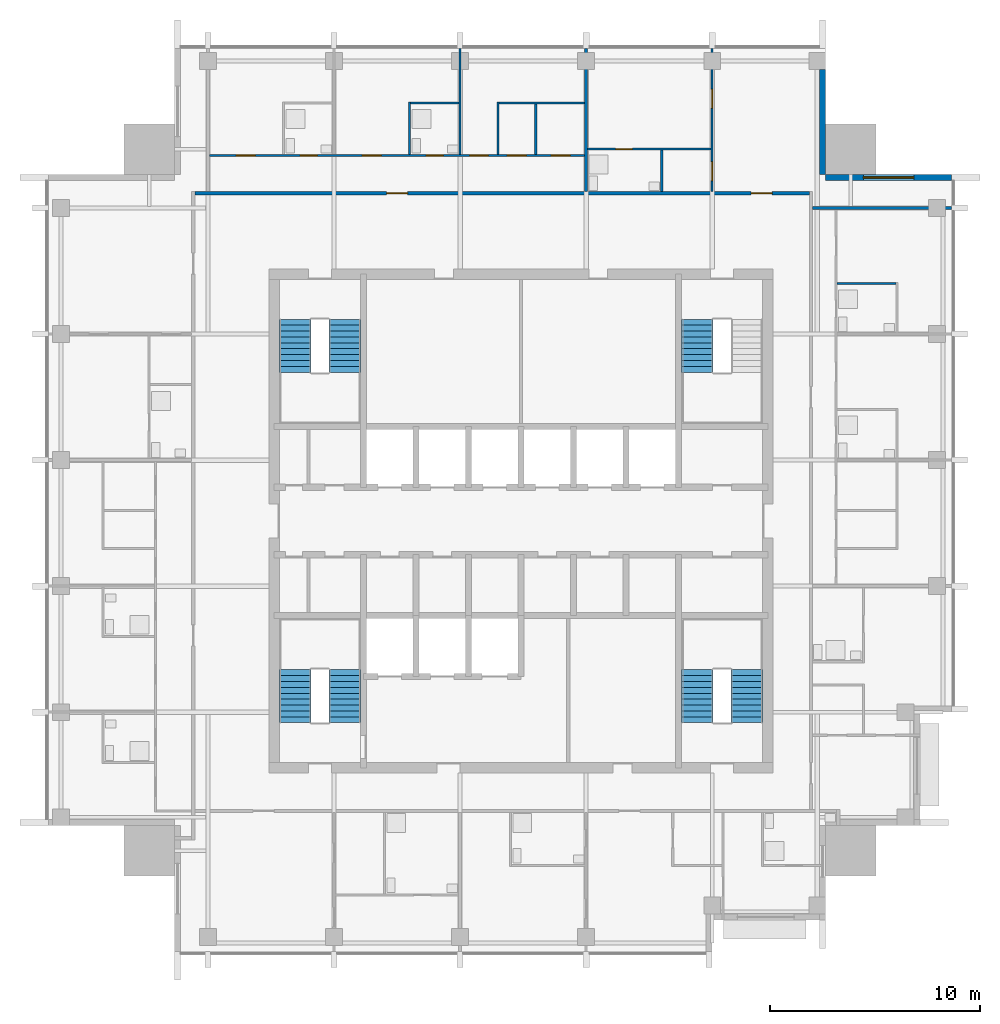
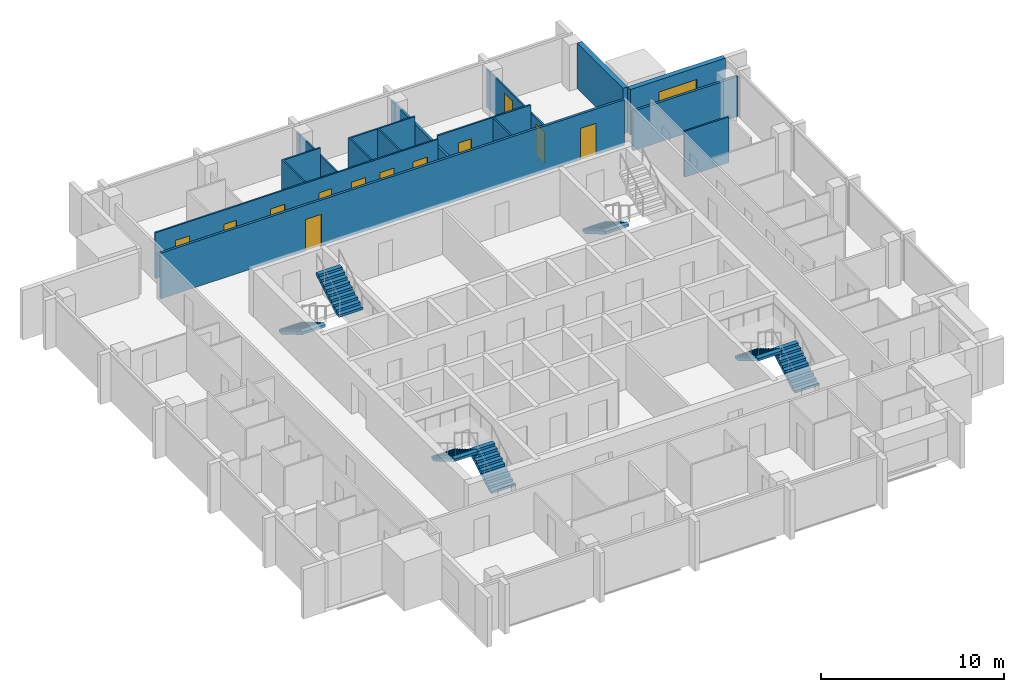
# One storey, part 7 of 10: 16 walls, 12 doors, 7 stair flights, 1 window, 13 openings, 4 elements without a shape of their own.
"""IFC4 building model written with IfcOpenShell, lengths in metres."""

from ifc_helpers import new_model, si_unit, direction, frame, frame_2d, origin, place, context, subcontext, project, spatial, polyline, rectangle, outline, extrude, material, layer, layer_set, type_object, element, fill, aggregate, save


model = new_model("IFC4")

# Units and contexts
model_context = context("Model", 3, precision=1e-05, world=origin(), true_north=direction((0.0, 1.0)))
body_context = subcontext(model_context, "Body", "Model", "MODEL_VIEW")
ifc_project = project(units=[si_unit("LENGTHUNIT", "METRE"), si_unit("AREAUNIT", "SQUARE_METRE"), si_unit("VOLUMEUNIT", "CUBIC_METRE"), si_unit("PLANEANGLEUNIT", "RADIAN"), si_unit("MASSUNIT", "GRAM", prefix="KILO")], contexts=[model_context])

# Site, building, storey
site_placement = place(None, origin())
site = spatial("IfcSite", under=ifc_project, at=site_placement, CompositionType="ELEMENT")
building_placement = place(site_placement, origin())
building = spatial("IfcBuilding", under=site, at=building_placement, Name="Amberfall Residences", CompositionType="ELEMENT")
storey_placement = place(building_placement, frame((0.0, 0.0, 275.199951171875)))
storey = spatial("IfcBuildingStorey", under=building, at=storey_placement, Name="L74", CompositionType="ELEMENT", Elevation=275.199951171875)

# Wall, opening, window
ifc_material_1 = material(Name="Pale stone cladding on insulated backing", Category="masonry")
ifc_layer_1 = layer(ifc_material_1, 0.300048828125)
ifc_layer_set_1 = layer_set([ifc_layer_1], Name="Bronze clad wall 300")
wall_type_1 = type_object("IfcWallType", Name="Bronze clad wall 300", PredefinedType="SOLIDWALL", material=ifc_layer_set_1)
wall_1_placement = place(storey_placement, frame((95.0, 61.85009765625, 0.0), z_axis=(0.0, 0.0, 1.0), x_axis=(-1.0, 0.0, 0.0)))
wall_1 = element("IfcWall", 1, at=wall_1_placement, inside=storey, type_object=wall_type_1, Name="External wall L74 NE", PredefinedType="SOLIDWALL", context=body_context, shape_type="SweptSolid", body=[
    extrude(rectangle(XDim=6.0, YDim=0.300048828125, at=frame_2d((3.0, 0.0))), origin(), (0.0, 0.0, 1.0), 3.050048828125),
])
opening_1_placement = place(wall_1_placement, frame((1.800048828125, 0.0, 0.14990234375)))
opening_1 = element("IfcOpeningElement", 2, at=opening_1_placement, cuts=wall_1, Name="Opening WN5", PredefinedType="OPENING", context=body_context, shape_type="SweptSolid", body=[
    extrude(rectangle(XDim=2.39990234375, YDim=2.10009765625, at=frame_2d((1.199951171875, 1.050048828125))), frame((0.0, 0.159912109375, 0.0), z_axis=(0.0, -1.0, 0.0), x_axis=(1.0, 0.0, 0.0)), (0.0, 0.0, 1.0), 0.320068359375),
])
ifc_material_2 = material(Name="Bronze aluminium framed glazing", Category="aluminium")
window_type = type_object("IfcWindowType", Name="Glazed opening 2400 x 2100 bronze", PartitioningType="DOUBLE_PANEL_VERTICAL", PredefinedType="WINDOW", material=ifc_material_2)
window_placement = place(opening_1_placement, origin())
window = element("IfcWindow", 3, at=window_placement, inside=storey, type_object=window_type, Name="Window L74 NE", OverallHeight=2.10009765625, OverallWidth=2.39990234375, PartitioningType="DOUBLE_PANEL_VERTICAL", PredefinedType="WINDOW", context=body_context, shape_type="SweptSolid", body=[
    extrude(rectangle(XDim=2.39990234375, YDim=2.10009765625, at=frame_2d((1.199951171875, 1.050048828125))), frame((0.0, 0.030029296875, 0.0), z_axis=(0.0, -1.0, 0.0), x_axis=(1.0, 0.0, 0.0)), (0.0, 0.0, 1.0), 0.06005859375),
])
fill(opening_1, window)

# Walls
wall_2_placement = place(storey_placement, frame((88.85009765625, 62.0, 0.0), z_axis=(0.0, 0.0, 1.0), x_axis=(0.0, 1.0, 0.0)))
element("IfcWall", 4, at=wall_2_placement, inside=storey, type_object=wall_type_1, Name="External wall L74 NE", PredefinedType="SOLIDWALL", context=body_context, shape_type="SweptSolid", body=[
    extrude(rectangle(XDim=5.0, YDim=0.300048828125, at=frame_2d((2.5, 0.0))), origin(), (0.0, 0.0, 1.0), 3.050048828125),
])
ifc_material_3 = material(Name="Gypsum board on metal stud")
ifc_layer_2 = layer(ifc_material_3, 0.10009765625)
ifc_layer_set_2 = layer_set([ifc_layer_2], Name="Flat partition 100")
wall_type_2 = type_object("IfcWallType", Name="Flat partition 100", PredefinedType="PARTITIONING", material=ifc_layer_set_2)
wall_3_placement = place(storey_placement, frame((69.199951171875, 62.949951171875, 0.0), z_axis=(0.0, 0.0, 1.0), x_axis=(0.0, 1.0, 0.0)))
element("IfcWall", 5, at=wall_3_placement, inside=storey, type_object=wall_type_2, Name="Partition 010", PredefinedType="PARTITIONING", context=body_context, shape_type="SweptSolid", body=[
    extrude(rectangle(XDim=2.5, YDim=0.10009765625, at=frame_2d((1.25, 0.0))), origin(), (0.0, 0.0, 1.0), 3.050048828125),
])
wall_4_placement = place(storey_placement, frame((71.60009765625, 62.949951171875, 0.0), z_axis=(0.0, 0.0, 1.0), x_axis=(0.0, 1.0, 0.0)))
element("IfcWall", 6, at=wall_4_placement, inside=storey, type_object=wall_type_2, Name="Partition 011", PredefinedType="PARTITIONING", context=body_context, shape_type="SweptSolid", body=[
    extrude(rectangle(XDim=5.050048828125, YDim=0.10009765625, at=frame_2d((2.52490234375, 0.0))), origin(), (0.0, 0.0, 1.0), 2.51611328125),
])
wall_5_placement = place(storey_placement, frame((73.39990234375, 62.949951171875, 0.0), z_axis=(0.0, 0.0, 1.0), x_axis=(0.0, 1.0, 0.0)))
element("IfcWall", 7, at=wall_5_placement, inside=storey, type_object=wall_type_2, Name="Partition 012", PredefinedType="PARTITIONING", context=body_context, shape_type="SweptSolid", body=[
    extrude(rectangle(XDim=2.5, YDim=0.10009765625, at=frame_2d((1.25, 0.0))), origin(), (0.0, 0.0, 1.0), 3.050048828125),
])
wall_6_placement = place(storey_placement, frame((75.199951171875, 62.949951171875, 0.0), z_axis=(0.0, 0.0, 1.0), x_axis=(0.0, 1.0, 0.0)))
element("IfcWall", 8, at=wall_6_placement, inside=storey, type_object=wall_type_2, Name="Partition 014", PredefinedType="PARTITIONING", context=body_context, shape_type="SweptSolid", body=[
    extrude(rectangle(XDim=2.400146484375, YDim=0.10009765625, at=frame_2d((1.2001953125, 0.0))), origin(), (0.0, 0.0, 1.0), 3.050048828125),
])
wall_7_placement = place(storey_placement, frame((81.199951171875, 61.175048828125, 0.0), z_axis=(0.0, 0.0, 1.0), x_axis=(0.0, 1.0, 0.0)))
element("IfcWall", 9, at=wall_7_placement, inside=storey, type_object=wall_type_2, Name="Partition 016", PredefinedType="PARTITIONING", context=body_context, shape_type="SweptSolid", body=[
    extrude(rectangle(XDim=1.974853515625, YDim=0.10009765625, at=frame_2d((0.9873046875, 0.0))), origin(), (0.0, 0.0, 1.0), 3.050048828125),
])

# Wall, openings, doors
wall_8_placement = place(storey_placement, frame((83.60009765625, 61.175048828125, 0.0), z_axis=(0.0, 0.0, 1.0), x_axis=(0.0, 1.0, 0.0)))
wall_8 = element("IfcWall", 10, at=wall_8_placement, inside=storey, type_object=wall_type_2, Name="Partition 018", PredefinedType="PARTITIONING", context=body_context, shape_type="SweptSolid", body=[
    extrude(rectangle(XDim=6.824951171875, YDim=0.10009765625, at=frame_2d((3.41259765625, 0.0))), origin(), (0.0, 0.0, 1.0), 2.51611328125),
])
opening_2_placement = place(wall_8_placement, frame((0.52490234375, 0.0, 0.0)))
opening_2 = element("IfcOpeningElement", 11, at=opening_2_placement, cuts=wall_8, Name="Opening D41", PredefinedType="OPENING", context=body_context, shape_type="SweptSolid", body=[
    extrude(rectangle(XDim=0.89990234375, YDim=2.10009765625, at=frame_2d((0.449951171875, 1.050048828125))), frame((0.0, 0.06005859375, 0.0), z_axis=(0.0, -1.0, 0.0), x_axis=(1.0, 0.0, 0.0)), (0.0, 0.0, 1.0), 0.1201171875),
])
opening_3_placement = place(wall_8_placement, frame((3.97509765625, 0.0, 0.0)))
opening_3 = element("IfcOpeningElement", 12, at=opening_3_placement, cuts=wall_8, Name="Opening D41", PredefinedType="OPENING", context=body_context, shape_type="SweptSolid", body=[
    extrude(rectangle(XDim=0.89990234375, YDim=2.10009765625, at=frame_2d((0.449951171875, 1.050048828125))), frame((0.0, 0.06005859375, 0.0), z_axis=(0.0, -1.0, 0.0), x_axis=(1.0, 0.0, 0.0)), (0.0, 0.0, 1.0), 0.1201171875),
])
ifc_material_4 = material(Name="Timber", Category="wood")
door_type_1 = type_object("IfcDoorType", Name="Internal door 900 x 2100", OperationType="SINGLE_SWING_LEFT", PredefinedType="DOOR", material=ifc_material_4)
door_1_placement = place(opening_2_placement, origin())
door_1 = element("IfcDoor", 13, at=door_1_placement, inside=storey, type_object=door_type_1, Name="Door 7406 kitchen", OperationType="SINGLE_SWING_LEFT", OverallHeight=2.10009765625, OverallWidth=0.89990234375, PredefinedType="DOOR", context=body_context, shape_type="SweptSolid", body=[
    extrude(rectangle(XDim=0.89990234375, YDim=2.10009765625, at=frame_2d((0.449951171875, 1.050048828125))), frame((0.0, 0.02490234375, 0.0), z_axis=(0.0, -1.0, 0.0), x_axis=(1.0, 0.0, 0.0)), (0.0, 0.0, 1.0), 0.050048828125),
])
fill(opening_2, door_1)
door_2_placement = place(opening_3_placement, origin())
door_2 = element("IfcDoor", 14, at=door_2_placement, inside=storey, type_object=door_type_1, Name="Door 7406 bedroom1", OperationType="SINGLE_SWING_LEFT", OverallHeight=2.10009765625, OverallWidth=0.89990234375, PredefinedType="DOOR", context=body_context, shape_type="SweptSolid", body=[
    extrude(rectangle(XDim=0.89990234375, YDim=2.10009765625, at=frame_2d((0.449951171875, 1.050048828125))), frame((0.0, 0.02490234375, 0.0), z_axis=(0.0, -1.0, 0.0), x_axis=(1.0, 0.0, 0.0)), (0.0, 0.0, 1.0), 0.050048828125),
])
fill(opening_3, door_2)

# Walls
wall_9_placement = place(storey_placement, frame((69.25, 65.39990234375, 0.0), z_axis=(0.0, 0.0, 1.0), x_axis=(1.0, 0.0, 0.0)))
element("IfcWall", 15, at=wall_9_placement, inside=storey, type_object=wall_type_2, Name="Partition 027", PredefinedType="PARTITIONING", context=body_context, shape_type="SweptSolid", body=[
    extrude(rectangle(XDim=2.300048828125, YDim=0.10009765625, at=frame_2d((1.14990234375, 0.0))), origin(), (0.0, 0.0, 1.0), 3.050048828125),
])
wall_10_placement = place(storey_placement, frame((73.449951171875, 65.39990234375, 0.0), z_axis=(0.0, 0.0, 1.0), x_axis=(1.0, 0.0, 0.0)))
element("IfcWall", 16, at=wall_10_placement, inside=storey, type_object=wall_type_2, Name="Partition 028", PredefinedType="PARTITIONING", context=body_context, shape_type="SweptSolid", body=[
    extrude(rectangle(XDim=4.074951171875, YDim=0.10009765625, at=frame_2d((2.03759765625, 0.0))), origin(), (0.0, 0.0, 1.0), 3.050048828125),
])

# Wall, opening, door
wall_11_placement = place(storey_placement, frame((83.550048828125, 63.199951171875, 0.0), z_axis=(0.0, 0.0, 1.0), x_axis=(-1.0, 0.0, 0.0)))
wall_11 = element("IfcWall", 17, at=wall_11_placement, inside=storey, type_object=wall_type_2, Name="Partition 029", PredefinedType="PARTITIONING", context=body_context, shape_type="SweptSolid", body=[
    extrude(rectangle(XDim=5.875, YDim=0.10009765625, at=frame_2d((2.9375, 0.0))), origin(), (0.0, 0.0, 1.0), 3.050048828125),
])
opening_4_placement = place(wall_11_placement, frame((3.75, 0.0, 0.0)))
opening_4 = element("IfcOpeningElement", 18, at=opening_4_placement, cuts=wall_11, Name="Opening D42", PredefinedType="OPENING", context=body_context, shape_type="SweptSolid", body=[
    extrude(rectangle(XDim=0.800048828125, YDim=2.10009765625, at=frame_2d((0.39990234375, 1.050048828125))), frame((0.0, 0.06005859375, 0.0), z_axis=(0.0, -1.0, 0.0), x_axis=(1.0, 0.0, 0.0)), (0.0, 0.0, 1.0), 0.1201171875),
])
door_type_2 = type_object("IfcDoorType", Name="Bathroom door 800 x 2100", OperationType="SINGLE_SWING_LEFT", PredefinedType="DOOR", material=ifc_material_4)
door_3_placement = place(opening_4_placement, origin())
door_3 = element("IfcDoor", 19, at=door_3_placement, inside=storey, type_object=door_type_2, Name="Door 7406 bath1", OperationType="SINGLE_SWING_LEFT", OverallHeight=2.10009765625, OverallWidth=0.800048828125, PredefinedType="DOOR", context=body_context, shape_type="SweptSolid", body=[
    extrude(rectangle(XDim=0.800048828125, YDim=2.10009765625, at=frame_2d((0.39990234375, 1.050048828125))), frame((0.0, 0.02490234375, 0.0), z_axis=(0.0, -1.0, 0.0), x_axis=(1.0, 0.0, 0.0)), (0.0, 0.0, 1.0), 0.050048828125),
])
fill(opening_4, door_3)

# Wall, openings, doors
wall_12_placement = place(storey_placement, frame((59.675048828125, 62.89990234375, 0.0), z_axis=(0.0, 0.0, 1.0), x_axis=(1.0, 0.0, 0.0)))
wall_12 = element("IfcWall", 20, at=wall_12_placement, inside=storey, type_object=wall_type_2, Name="Partition 030", PredefinedType="PARTITIONING", context=body_context, shape_type="SweptSolid", body=[
    extrude(rectangle(XDim=17.849853515625, YDim=0.10009765625, at=frame_2d((8.9248046875, 0.0))), origin(), (0.0, 0.0, 1.0), 3.050048828125),
])
opening_5_placement = place(wall_12_placement, frame((12.375, 0.0, 0.0)))
opening_5 = element("IfcOpeningElement", 21, at=opening_5_placement, cuts=wall_12, Name="Opening D41", PredefinedType="OPENING", context=body_context, shape_type="SweptSolid", body=[
    extrude(rectangle(XDim=0.89990234375, YDim=2.10009765625, at=frame_2d((0.449951171875, 1.050048828125))), frame((0.0, 0.06005859375, 0.0), z_axis=(0.0, -1.0, 0.0), x_axis=(1.0, 0.0, 0.0)), (0.0, 0.0, 1.0), 0.1201171875),
])
opening_6_placement = place(wall_12_placement, frame((16.27490234375, 0.0, 0.0)))
opening_6 = element("IfcOpeningElement", 22, at=opening_6_placement, cuts=wall_12, Name="Opening D41", PredefinedType="OPENING", context=body_context, shape_type="SweptSolid", body=[
    extrude(rectangle(XDim=0.89990234375, YDim=2.10009765625, at=frame_2d((0.449951171875, 1.050048828125))), frame((0.0, 0.06005859375, 0.0), z_axis=(0.0, -1.0, 0.0), x_axis=(1.0, 0.0, 0.0)), (0.0, 0.0, 1.0), 0.1201171875),
])
opening_7_placement = place(wall_12_placement, frame((14.175048828125, 0.0, 0.0)))
opening_7 = element("IfcOpeningElement", 23, at=opening_7_placement, cuts=wall_12, Name="Opening D41", PredefinedType="OPENING", context=body_context, shape_type="SweptSolid", body=[
    extrude(rectangle(XDim=0.89990234375, YDim=2.10009765625, at=frame_2d((0.449951171875, 1.050048828125))), frame((0.0, 0.06005859375, 0.0), z_axis=(0.0, -1.0, 0.0), x_axis=(1.0, 0.0, 0.0)), (0.0, 0.0, 1.0), 0.1201171875),
])
opening_8_placement = place(wall_12_placement, frame((1.27490234375, 0.0, 0.0)))
opening_8 = element("IfcOpeningElement", 24, at=opening_8_placement, cuts=wall_12, Name="Opening D41", PredefinedType="OPENING", context=body_context, shape_type="SweptSolid", body=[
    extrude(rectangle(XDim=0.89990234375, YDim=2.10009765625, at=frame_2d((0.449951171875, 1.050048828125))), frame((0.0, 0.06005859375, 0.0), z_axis=(0.0, -1.0, 0.0), x_axis=(1.0, 0.0, 0.0)), (0.0, 0.0, 1.0), 0.1201171875),
])
opening_9_placement = place(wall_12_placement, frame((7.27490234375, 0.0, 0.0)))
opening_9 = element("IfcOpeningElement", 25, at=opening_9_placement, cuts=wall_12, Name="Opening D41", PredefinedType="OPENING", context=body_context, shape_type="SweptSolid", body=[
    extrude(rectangle(XDim=0.89990234375, YDim=2.10009765625, at=frame_2d((0.449951171875, 1.050048828125))), frame((0.0, 0.06005859375, 0.0), z_axis=(0.0, -1.0, 0.0), x_axis=(1.0, 0.0, 0.0)), (0.0, 0.0, 1.0), 0.1201171875),
])
opening_10_placement = place(wall_12_placement, frame((4.324951171875, 0.0, 0.0)))
opening_10 = element("IfcOpeningElement", 26, at=opening_10_placement, cuts=wall_12, Name="Opening D42", PredefinedType="OPENING", context=body_context, shape_type="SweptSolid", body=[
    extrude(rectangle(XDim=0.800048828125, YDim=2.10009765625, at=frame_2d((0.39990234375, 1.050048828125))), frame((0.0, 0.06005859375, 0.0), z_axis=(0.0, -1.0, 0.0), x_axis=(1.0, 0.0, 0.0)), (0.0, 0.0, 1.0), 0.1201171875),
])
opening_11_placement = place(wall_12_placement, frame((10.324951171875, 0.0, 0.0)))
opening_11 = element("IfcOpeningElement", 27, at=opening_11_placement, cuts=wall_12, Name="Opening D42", PredefinedType="OPENING", context=body_context, shape_type="SweptSolid", body=[
    extrude(rectangle(XDim=0.800048828125, YDim=2.10009765625, at=frame_2d((0.39990234375, 1.050048828125))), frame((0.0, 0.06005859375, 0.0), z_axis=(0.0, -1.0, 0.0), x_axis=(1.0, 0.0, 0.0)), (0.0, 0.0, 1.0), 0.1201171875),
])
door_4_placement = place(opening_10_placement, origin())
door_4 = element("IfcDoor", 28, at=door_4_placement, inside=storey, type_object=door_type_2, Name="Door 7405 bath1", OperationType="SINGLE_SWING_LEFT", OverallHeight=2.10009765625, OverallWidth=0.800048828125, PredefinedType="DOOR", context=body_context, shape_type="SweptSolid", body=[
    extrude(rectangle(XDim=0.800048828125, YDim=2.10009765625, at=frame_2d((0.39990234375, 1.050048828125))), frame((0.0, 0.02490234375, 0.0), z_axis=(0.0, -1.0, 0.0), x_axis=(1.0, 0.0, 0.0)), (0.0, 0.0, 1.0), 0.050048828125),
])
fill(opening_10, door_4)
door_5_placement = place(opening_11_placement, origin())
door_5 = element("IfcDoor", 29, at=door_5_placement, inside=storey, type_object=door_type_2, Name="Door 7405 bath2", OperationType="SINGLE_SWING_LEFT", OverallHeight=2.10009765625, OverallWidth=0.800048828125, PredefinedType="DOOR", context=body_context, shape_type="SweptSolid", body=[
    extrude(rectangle(XDim=0.800048828125, YDim=2.10009765625, at=frame_2d((0.39990234375, 1.050048828125))), frame((0.0, 0.02490234375, 0.0), z_axis=(0.0, -1.0, 0.0), x_axis=(1.0, 0.0, 0.0)), (0.0, 0.0, 1.0), 0.050048828125),
])
fill(opening_11, door_5)
door_6_placement = place(opening_5_placement, origin())
door_6 = element("IfcDoor", 30, at=door_6_placement, inside=storey, type_object=door_type_1, Name="Door 7405 living", OperationType="SINGLE_SWING_LEFT", OverallHeight=2.10009765625, OverallWidth=0.89990234375, PredefinedType="DOOR", context=body_context, shape_type="SweptSolid", body=[
    extrude(rectangle(XDim=0.89990234375, YDim=2.10009765625, at=frame_2d((0.449951171875, 1.050048828125))), frame((0.0, 0.02490234375, 0.0), z_axis=(0.0, -1.0, 0.0), x_axis=(1.0, 0.0, 0.0)), (0.0, 0.0, 1.0), 0.050048828125),
])
fill(opening_5, door_6)
door_7_placement = place(opening_6_placement, origin())
door_7 = element("IfcDoor", 31, at=door_7_placement, inside=storey, type_object=door_type_1, Name="Door 7405 kitchen", OperationType="SINGLE_SWING_LEFT", OverallHeight=2.10009765625, OverallWidth=0.89990234375, PredefinedType="DOOR", context=body_context, shape_type="SweptSolid", body=[
    extrude(rectangle(XDim=0.89990234375, YDim=2.10009765625, at=frame_2d((0.449951171875, 1.050048828125))), frame((0.0, 0.02490234375, 0.0), z_axis=(0.0, -1.0, 0.0), x_axis=(1.0, 0.0, 0.0)), (0.0, 0.0, 1.0), 0.050048828125),
])
fill(opening_6, door_7)
door_8_placement = place(opening_7_placement, origin())
door_8 = element("IfcDoor", 32, at=door_8_placement, inside=storey, type_object=door_type_1, Name="Door 7405 utility", OperationType="SINGLE_SWING_LEFT", OverallHeight=2.10009765625, OverallWidth=0.89990234375, PredefinedType="DOOR", context=body_context, shape_type="SweptSolid", body=[
    extrude(rectangle(XDim=0.89990234375, YDim=2.10009765625, at=frame_2d((0.449951171875, 1.050048828125))), frame((0.0, 0.02490234375, 0.0), z_axis=(0.0, -1.0, 0.0), x_axis=(1.0, 0.0, 0.0)), (0.0, 0.0, 1.0), 0.050048828125),
])
fill(opening_7, door_8)
door_9_placement = place(opening_8_placement, origin())
door_9 = element("IfcDoor", 33, at=door_9_placement, inside=storey, type_object=door_type_1, Name="Door 7405 bedroom1", OperationType="SINGLE_SWING_LEFT", OverallHeight=2.10009765625, OverallWidth=0.89990234375, PredefinedType="DOOR", context=body_context, shape_type="SweptSolid", body=[
    extrude(rectangle(XDim=0.89990234375, YDim=2.10009765625, at=frame_2d((0.449951171875, 1.050048828125))), frame((0.0, 0.02490234375, 0.0), z_axis=(0.0, -1.0, 0.0), x_axis=(1.0, 0.0, 0.0)), (0.0, 0.0, 1.0), 0.050048828125),
])
fill(opening_8, door_9)
door_10_placement = place(opening_9_placement, origin())
door_10 = element("IfcDoor", 34, at=door_10_placement, inside=storey, type_object=door_type_1, Name="Door 7405 bedroom2", OperationType="SINGLE_SWING_LEFT", OverallHeight=2.10009765625, OverallWidth=0.89990234375, PredefinedType="DOOR", context=body_context, shape_type="SweptSolid", body=[
    extrude(rectangle(XDim=0.89990234375, YDim=2.10009765625, at=frame_2d((0.449951171875, 1.050048828125))), frame((0.0, 0.02490234375, 0.0), z_axis=(0.0, -1.0, 0.0), x_axis=(1.0, 0.0, 0.0)), (0.0, 0.0, 1.0), 0.050048828125),
])
fill(opening_9, door_10)

# Walls
wall_13_placement = place(storey_placement, frame((89.550048828125, 56.800048828125, 0.0), z_axis=(0.0, 0.0, 1.0), x_axis=(1.0, 0.0, 0.0)))
element("IfcWall", 35, at=wall_13_placement, inside=storey, type_object=wall_type_2, Name="Partition 031", PredefinedType="PARTITIONING", context=body_context, shape_type="SweptSolid", body=[
    extrude(rectangle(XDim=2.800048828125, YDim=0.10009765625, at=frame_2d((1.39990234375, 0.0))), origin(), (0.0, 0.0, 1.0), 3.050048828125),
])
ifc_material_5 = material(Name="Blockwork, plastered", Category="masonry")
ifc_layer_3 = layer(ifc_material_5, 0.14990234375)
ifc_layer_set_3 = layer_set([ifc_layer_3], Name="Flat separating wall 150")
wall_type_3 = type_object("IfcWallType", Name="Flat separating wall 150", PredefinedType="PARTITIONING", material=ifc_layer_set_3)
wall_14_placement = place(storey_placement, frame((77.60009765625, 61.175048828125, 0.0), z_axis=(0.0, 0.0, 1.0), x_axis=(0.0, 1.0, 0.0)))
element("IfcWall", 36, at=wall_14_placement, inside=storey, type_object=wall_type_3, Name="Separating wall 056", PredefinedType="PARTITIONING", context=body_context, shape_type="SweptSolid", body=[
    extrude(rectangle(XDim=6.824951171875, YDim=0.14990234375, at=frame_2d((3.41259765625, 0.0))), origin(), (0.0, 0.0, 1.0), 2.51611328125),
])

# Wall, openings, doors
wall_15_placement = place(storey_placement, frame((58.97509765625, 61.10009765625, 0.0), z_axis=(0.0, 0.0, 1.0), x_axis=(1.0, 0.0, 0.0)))
wall_15 = element("IfcWall", 37, at=wall_15_placement, inside=storey, type_object=wall_type_3, Name="Separating wall 059", PredefinedType="PARTITIONING", context=body_context, shape_type="SweptSolid", body=[
    extrude(rectangle(XDim=29.25, YDim=0.14990234375, at=frame_2d((14.625, 0.0))), origin(), (0.0, 0.0, 1.0), 3.050048828125),
])
opening_12_placement = place(wall_15_placement, frame((9.125, 0.0, 0.0)))
opening_12 = element("IfcOpeningElement", 38, at=opening_12_placement, cuts=wall_15, Name="Opening D40", PredefinedType="OPENING", context=body_context, shape_type="SweptSolid", body=[
    extrude(rectangle(XDim=1.0, YDim=2.10009765625, at=frame_2d((0.5, 1.050048828125))), frame((0.0, 0.0849609375, 0.0), z_axis=(0.0, -1.0, 0.0), x_axis=(1.0, 0.0, 0.0)), (0.0, 0.0, 1.0), 0.169921875),
])
opening_13_placement = place(wall_15_placement, frame((26.47509765625, 0.0, 0.0)))
opening_13 = element("IfcOpeningElement", 39, at=opening_13_placement, cuts=wall_15, Name="Opening D40", PredefinedType="OPENING", context=body_context, shape_type="SweptSolid", body=[
    extrude(rectangle(XDim=1.0, YDim=2.10009765625, at=frame_2d((0.5, 1.050048828125))), frame((0.0, 0.0849609375, 0.0), z_axis=(0.0, -1.0, 0.0), x_axis=(1.0, 0.0, 0.0)), (0.0, 0.0, 1.0), 0.169921875),
])
ifc_material_6 = material(Name="Timber, fire-rated", Category="wood")
door_type_3 = type_object("IfcDoorType", Name="Flat entrance door FD60 1000 x 2100", OperationType="SINGLE_SWING_LEFT", PredefinedType="DOOR", material=ifc_material_6)
door_11_placement = place(opening_12_placement, origin())
door_11 = element("IfcDoor", 40, at=door_11_placement, inside=storey, type_object=door_type_3, Name="Door 7405 entrance", OperationType="SINGLE_SWING_LEFT", OverallHeight=2.10009765625, OverallWidth=1.0, PredefinedType="DOOR", context=body_context, shape_type="SweptSolid", body=[
    extrude(rectangle(XDim=1.0, YDim=2.10009765625, at=frame_2d((0.5, 1.050048828125))), frame((0.0, 0.02490234375, 0.0), z_axis=(0.0, -1.0, 0.0), x_axis=(1.0, 0.0, 0.0)), (0.0, 0.0, 1.0), 0.050048828125),
])
fill(opening_12, door_11)
door_12_placement = place(opening_13_placement, origin())
door_12 = element("IfcDoor", 41, at=door_12_placement, inside=storey, type_object=door_type_3, Name="Door 7406 entrance", OperationType="SINGLE_SWING_LEFT", OverallHeight=2.10009765625, OverallWidth=1.0, PredefinedType="DOOR", context=body_context, shape_type="SweptSolid", body=[
    extrude(rectangle(XDim=1.0, YDim=2.10009765625, at=frame_2d((0.5, 1.050048828125))), frame((0.0, 0.02490234375, 0.0), z_axis=(0.0, -1.0, 0.0), x_axis=(1.0, 0.0, 0.0)), (0.0, 0.0, 1.0), 0.050048828125),
])
fill(opening_13, door_12)

# Wall
wall_16_placement = place(storey_placement, frame((88.375, 60.39990234375, 0.0), z_axis=(0.0, 0.0, 1.0), x_axis=(1.0, 0.0, 0.0)))
element("IfcWall", 42, at=wall_16_placement, inside=storey, type_object=wall_type_3, Name="Separating wall 060", PredefinedType="PARTITIONING", context=body_context, shape_type="SweptSolid", body=[
    extrude(rectangle(XDim=6.625, YDim=0.14990234375, at=frame_2d((3.3125, 0.0))), origin(), (0.0, 0.0, 1.0), 2.64697265625),
])

# Stair, stair flights
ifc_material_7 = material(Name="Concrete C40", Category="concrete")
stair_type = type_object("IfcStairType", Name="Exit stair 20 risers 165.0 mm", PredefinedType="HALF_TURN_STAIR", material=ifc_material_7)
stair_1_placement = place(storey_placement, origin())
stair_1 = element("IfcStair", 43, at=stair_1_placement, inside=storey, type_object=stair_type, Name="L74 Exit stair 1", PredefinedType="HALF_TURN_STAIR")
stair_flight_type = type_object("IfcStairFlightType", Name="Stair flight 10 risers 165.0 mm", PredefinedType="STRAIGHT", material=ifc_material_7)
stair_flight_1_placement = place(storey_placement, frame((66.10009765625, 35.89990234375, 0.0), z_axis=(0.0, 0.0, 1.0), x_axis=(0.0, 1.0, 0.0)))
stair_flight_1 = element("IfcStairFlight", 44, at=stair_flight_1_placement, type_object=stair_flight_type, Name="ST3 flight 1", NumberOfRisers=10, NumberOfTreads=9, PredefinedType="STRAIGHT", RiserHeight=0.165, TreadLength=0.28, context=body_context, shape_type="SweptSolid", body=[
    extrude(outline(polyline([(0.0, 0.0), (0.0, 0.1650390625), (0.280029296875, 0.1650390625), (0.280029296875, 0.330078125), (0.56005859375, 0.330078125), (0.56005859375, 0.4951171875), (0.840087890625, 0.4951171875), (0.840087890625, 0.659912109375), (1.1201171875, 0.659912109375), (1.1201171875, 0.824951171875), (1.39990234375, 0.824951171875), (1.39990234375, 0.989990234375), (1.679931640625, 0.989990234375), (1.679931640625, 1.155029296875), (1.9599609375, 1.155029296875), (1.9599609375, 1.320068359375), (2.239990234375, 1.320068359375), (2.239990234375, 1.485107421875), (2.52001953125, 1.485107421875), (2.52001953125, 1.64990234375), (2.52001953125, 1.31103515625), (0.295166015625, 0.0), (0.0, 0.0)])), frame((0.0, 0.75, 0.0), z_axis=(0.0, -1.0, 0.0), x_axis=(1.0, 0.0, 0.0)), (0.0, 0.0, 1.0), 1.5),
])
stair_flight_2_placement = place(storey_placement, frame((63.75, 38.419921875, 1.650146484375), z_axis=(0.0, 0.0, 1.0), x_axis=(0.0, -1.0, 0.0)))
stair_flight_2 = element("IfcStairFlight", 45, at=stair_flight_2_placement, type_object=stair_flight_type, Name="ST3 flight 2", NumberOfRisers=10, NumberOfTreads=9, PredefinedType="STRAIGHT", RiserHeight=0.165, TreadLength=0.28, context=body_context, shape_type="SweptSolid", body=[
    extrude(outline(polyline([(0.0, 0.0), (0.0, 0.1650390625), (0.280029296875, 0.1650390625), (0.280029296875, 0.330078125), (0.56005859375, 0.330078125), (0.56005859375, 0.4951171875), (0.840087890625, 0.4951171875), (0.840087890625, 0.659912109375), (1.1201171875, 0.659912109375), (1.1201171875, 0.824951171875), (1.39990234375, 0.824951171875), (1.39990234375, 0.989990234375), (1.679931640625, 0.989990234375), (1.679931640625, 1.155029296875), (1.9599609375, 1.155029296875), (1.9599609375, 1.320068359375), (2.239990234375, 1.320068359375), (2.239990234375, 1.485107421875), (2.52001953125, 1.485107421875), (2.52001953125, 1.64990234375), (2.52001953125, 1.31103515625), (0.295166015625, 0.0), (0.0, 0.0)])), frame((0.0, 0.75, 0.0), z_axis=(0.0, -1.0, 0.0), x_axis=(1.0, 0.0, 0.0)), (0.0, 0.0, 1.0), 1.5),
])
aggregate(stair_1, [stair_flight_1, stair_flight_2])

stair_2_placement = place(storey_placement, origin())
stair_2 = element("IfcStair", 46, at=stair_2_placement, inside=storey, type_object=stair_type, Name="L74 Exit stair 2", PredefinedType="HALF_TURN_STAIR")
stair_flight_3_placement = place(storey_placement, frame((85.25, 35.89990234375, 0.0), z_axis=(0.0, 0.0, 1.0), x_axis=(0.0, 1.0, 0.0)))
stair_flight_3 = element("IfcStairFlight", 47, at=stair_flight_3_placement, type_object=stair_flight_type, Name="ST3 flight 1", NumberOfRisers=10, NumberOfTreads=9, PredefinedType="STRAIGHT", RiserHeight=0.165, TreadLength=0.28, context=body_context, shape_type="SweptSolid", body=[
    extrude(outline(polyline([(0.0, 0.0), (0.0, 0.1650390625), (0.280029296875, 0.1650390625), (0.280029296875, 0.330078125), (0.56005859375, 0.330078125), (0.56005859375, 0.4951171875), (0.840087890625, 0.4951171875), (0.840087890625, 0.659912109375), (1.1201171875, 0.659912109375), (1.1201171875, 0.824951171875), (1.39990234375, 0.824951171875), (1.39990234375, 0.989990234375), (1.679931640625, 0.989990234375), (1.679931640625, 1.155029296875), (1.9599609375, 1.155029296875), (1.9599609375, 1.320068359375), (2.239990234375, 1.320068359375), (2.239990234375, 1.485107421875), (2.52001953125, 1.485107421875), (2.52001953125, 1.64990234375), (2.52001953125, 1.31103515625), (0.295166015625, 0.0), (0.0, 0.0)])), frame((0.0, 0.75, 0.0), z_axis=(0.0, -1.0, 0.0), x_axis=(1.0, 0.0, 0.0)), (0.0, 0.0, 1.0), 1.5),
])
stair_flight_4_placement = place(storey_placement, frame((82.89990234375, 38.419921875, 1.650146484375), z_axis=(0.0, 0.0, 1.0), x_axis=(0.0, -1.0, 0.0)))
stair_flight_4 = element("IfcStairFlight", 48, at=stair_flight_4_placement, type_object=stair_flight_type, Name="ST3 flight 2", NumberOfRisers=10, NumberOfTreads=9, PredefinedType="STRAIGHT", RiserHeight=0.165, TreadLength=0.28, context=body_context, shape_type="SweptSolid", body=[
    extrude(outline(polyline([(0.0, 0.0), (0.0, 0.1650390625), (0.280029296875, 0.1650390625), (0.280029296875, 0.330078125), (0.56005859375, 0.330078125), (0.56005859375, 0.4951171875), (0.840087890625, 0.4951171875), (0.840087890625, 0.659912109375), (1.1201171875, 0.659912109375), (1.1201171875, 0.824951171875), (1.39990234375, 0.824951171875), (1.39990234375, 0.989990234375), (1.679931640625, 0.989990234375), (1.679931640625, 1.155029296875), (1.9599609375, 1.155029296875), (1.9599609375, 1.320068359375), (2.239990234375, 1.320068359375), (2.239990234375, 1.485107421875), (2.52001953125, 1.485107421875), (2.52001953125, 1.64990234375), (2.52001953125, 1.31103515625), (0.295166015625, 0.0), (0.0, 0.0)])), frame((0.0, 0.75, 0.0), z_axis=(0.0, -1.0, 0.0), x_axis=(1.0, 0.0, 0.0)), (0.0, 0.0, 1.0), 1.5),
])
aggregate(stair_2, [stair_flight_3, stair_flight_4])

# Stair, stair flight
stair_3_placement = place(storey_placement, origin())
stair_3 = element("IfcStair", 49, at=stair_3_placement, inside=storey, type_object=stair_type, Name="L74 Exit stair 3", PredefinedType="HALF_TURN_STAIR")
stair_flight_5_placement = place(storey_placement, frame((82.89990234375, 55.10009765625, 0.0), z_axis=(0.0, 0.0, 1.0), x_axis=(0.0, -1.0, 0.0)))
stair_flight_5 = element("IfcStairFlight", 50, at=stair_flight_5_placement, type_object=stair_flight_type, Name="ST3 flight 1", NumberOfRisers=10, NumberOfTreads=9, PredefinedType="STRAIGHT", RiserHeight=0.165, TreadLength=0.28, context=body_context, shape_type="SweptSolid", body=[
    extrude(outline(polyline([(0.0, 0.0), (0.0, 0.1650390625), (0.280029296875, 0.1650390625), (0.280029296875, 0.330078125), (0.56005859375, 0.330078125), (0.56005859375, 0.4951171875), (0.840087890625, 0.4951171875), (0.840087890625, 0.659912109375), (1.1201171875, 0.659912109375), (1.1201171875, 0.824951171875), (1.39990234375, 0.824951171875), (1.39990234375, 0.989990234375), (1.679931640625, 0.989990234375), (1.679931640625, 1.155029296875), (1.9599609375, 1.155029296875), (1.9599609375, 1.320068359375), (2.239990234375, 1.320068359375), (2.239990234375, 1.485107421875), (2.52001953125, 1.485107421875), (2.52001953125, 1.64990234375), (2.52001953125, 1.31103515625), (0.295166015625, 0.0), (0.0, 0.0)])), frame((0.0, 0.75, 0.0), z_axis=(0.0, -1.0, 0.0), x_axis=(1.0, 0.0, 0.0)), (0.0, 0.0, 1.0), 1.5),
])
aggregate(stair_3, [stair_flight_5])

# Stair, stair flights
stair_4_placement = place(storey_placement, origin())
stair_4 = element("IfcStair", 51, at=stair_4_placement, inside=storey, type_object=stair_type, Name="L74 Exit stair 4", PredefinedType="HALF_TURN_STAIR")
stair_flight_6_placement = place(storey_placement, frame((63.75, 55.10009765625, 0.0), z_axis=(0.0, 0.0, 1.0), x_axis=(0.0, -1.0, 0.0)))
stair_flight_6 = element("IfcStairFlight", 52, at=stair_flight_6_placement, type_object=stair_flight_type, Name="ST3 flight 1", NumberOfRisers=10, NumberOfTreads=9, PredefinedType="STRAIGHT", RiserHeight=0.165, TreadLength=0.28, context=body_context, shape_type="SweptSolid", body=[
    extrude(outline(polyline([(0.0, 0.0), (0.0, 0.1650390625), (0.280029296875, 0.1650390625), (0.280029296875, 0.330078125), (0.56005859375, 0.330078125), (0.56005859375, 0.4951171875), (0.840087890625, 0.4951171875), (0.840087890625, 0.659912109375), (1.1201171875, 0.659912109375), (1.1201171875, 0.824951171875), (1.39990234375, 0.824951171875), (1.39990234375, 0.989990234375), (1.679931640625, 0.989990234375), (1.679931640625, 1.155029296875), (1.9599609375, 1.155029296875), (1.9599609375, 1.320068359375), (2.239990234375, 1.320068359375), (2.239990234375, 1.485107421875), (2.52001953125, 1.485107421875), (2.52001953125, 1.64990234375), (2.52001953125, 1.31103515625), (0.295166015625, 0.0), (0.0, 0.0)])), frame((0.0, 0.75, 0.0), z_axis=(0.0, -1.0, 0.0), x_axis=(1.0, 0.0, 0.0)), (0.0, 0.0, 1.0), 1.5),
])
stair_flight_7_placement = place(storey_placement, frame((66.10009765625, 52.580078125, 1.650146484375), z_axis=(0.0, 0.0, 1.0), x_axis=(0.0, 1.0, 0.0)))
stair_flight_7 = element("IfcStairFlight", 53, at=stair_flight_7_placement, type_object=stair_flight_type, Name="ST3 flight 2", NumberOfRisers=10, NumberOfTreads=9, PredefinedType="STRAIGHT", RiserHeight=0.165, TreadLength=0.28, context=body_context, shape_type="SweptSolid", body=[
    extrude(outline(polyline([(0.0, 0.0), (0.0, 0.1650390625), (0.280029296875, 0.1650390625), (0.280029296875, 0.330078125), (0.56005859375, 0.330078125), (0.56005859375, 0.4951171875), (0.840087890625, 0.4951171875), (0.840087890625, 0.659912109375), (1.1201171875, 0.659912109375), (1.1201171875, 0.824951171875), (1.39990234375, 0.824951171875), (1.39990234375, 0.989990234375), (1.679931640625, 0.989990234375), (1.679931640625, 1.155029296875), (1.9599609375, 1.155029296875), (1.9599609375, 1.320068359375), (2.239990234375, 1.320068359375), (2.239990234375, 1.485107421875), (2.52001953125, 1.485107421875), (2.52001953125, 1.64990234375), (2.52001953125, 1.31103515625), (0.295166015625, 0.0), (0.0, 0.0)])), frame((0.0, 0.75, 0.0), z_axis=(0.0, -1.0, 0.0), x_axis=(1.0, 0.0, 0.0)), (0.0, 0.0, 1.0), 1.5),
])
aggregate(stair_4, [stair_flight_6, stair_flight_7])

save(model, "model.ifc")
